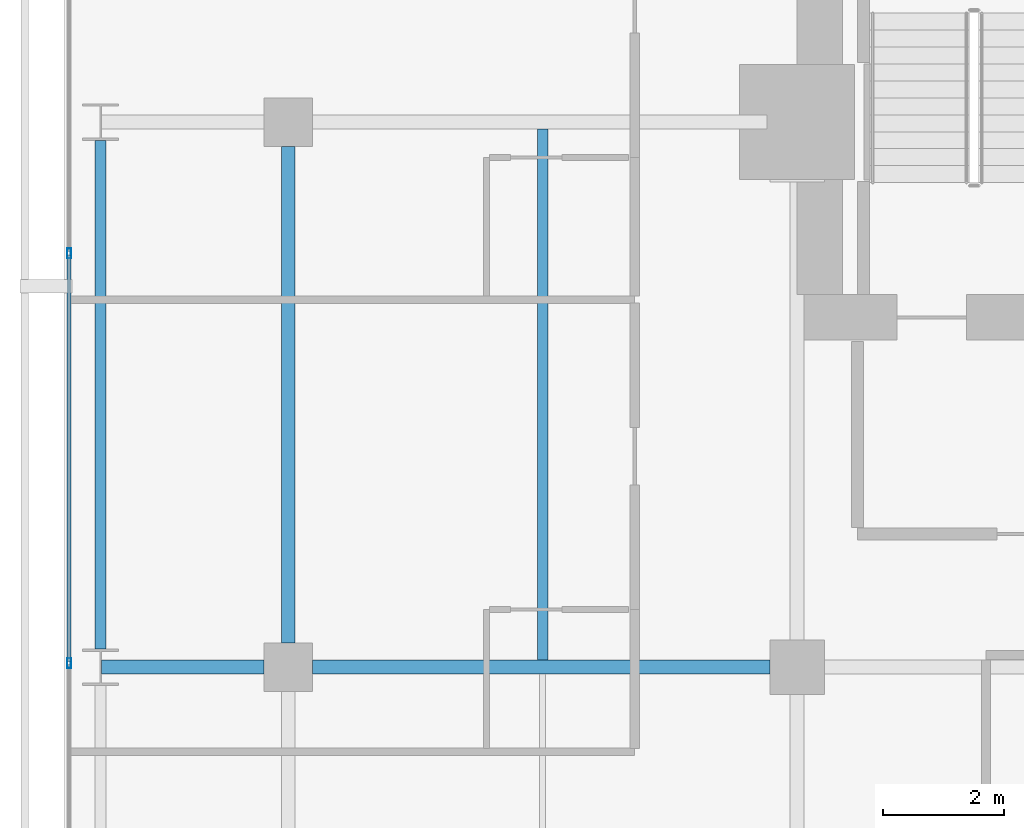
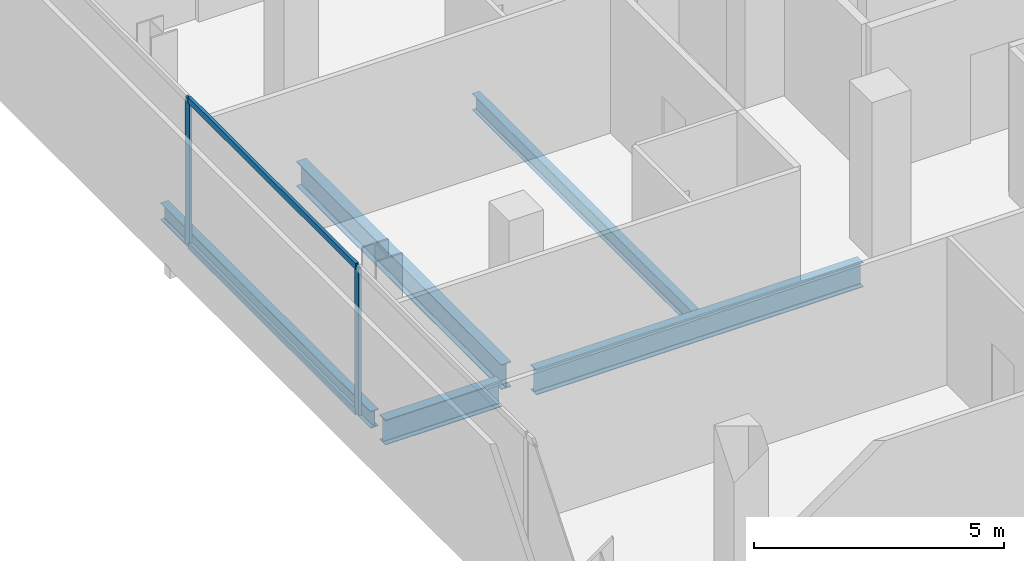
# One storey, part 18 of 33: 5 beams, 4 members, 1 element without a shape of its own.
"""IFC4 building model written with IfcOpenShell, lengths in metres."""

from ifc_helpers import new_model, si_unit, direction, frame, origin, origin_2d, place, context, subcontext, project, spatial, hollow_rectangle, i_section, extrude, material, layer, layer_set, material_profile, profile_set, type_object, element, aggregate, save


model = new_model("IFC4")

# Units and contexts
model_context = context("Model", 3, precision=1e-05, world=origin(), true_north=direction((0.0, 1.0)))
body_context = subcontext(model_context, "Body", "Model", "MODEL_VIEW")
ifc_project = project(units=[si_unit("LENGTHUNIT", "METRE"), si_unit("AREAUNIT", "SQUARE_METRE"), si_unit("VOLUMEUNIT", "CUBIC_METRE"), si_unit("PLANEANGLEUNIT", "RADIAN"), si_unit("MASSUNIT", "GRAM", prefix="KILO")], contexts=[model_context])

# Site, building, storey
site_placement = place(None, origin())
site = spatial("IfcSite", under=ifc_project, at=site_placement, CompositionType="ELEMENT")
building_placement = place(site_placement, origin())
building = spatial("IfcBuilding", under=site, at=building_placement, Name="Maruvema Waterfront Hotel and Observation Tower", CompositionType="ELEMENT")
storey_placement = place(building_placement, frame((0.0, 0.0, 150.5)))
storey = spatial("IfcBuildingStorey", under=building, at=storey_placement, Name="L36", CompositionType="ELEMENT", Elevation=150.5)

# Curtain wall, members
ifc_material_1 = material(Name="Anodised bronze aluminium and solar-control low-E IGU", Category="aluminium")
ifc_layer = layer(ifc_material_1, 0.159912109375, Name="Zone 2 Amber Inner Thermal Curtain Wall System CW-03")
ifc_layer_set = layer_set([ifc_layer], Name="Anodised bronze aluminium and solar-control low-E IGU")
curtain_wall_type = type_object("IfcCurtainWallType", Name="Zone 2 Amber Inner Thermal Curtain Wall System CW-03", PredefinedType="USERDEFINED", material=ifc_layer_set)
curtain_wall_placement = place(storey_placement, origin())
curtain_wall = element("IfcCurtainWall", 1, at=curtain_wall_placement, inside=storey, type_object=curtain_wall_type, Name="L36 Curtain Wall CW-L36-W", ObjectType="UNITISED CURTAIN WALL", PredefinedType="USERDEFINED")
ifc_material_2 = material(Name="Anodised architectural bronze aluminium", Category="aluminium")
ifc_material_profile_1 = material_profile(ifc_material_2, hollow_rectangle(XDim=0.070068359375, YDim=0.14990234375, WallThickness=0.00390625, at=origin_2d()), Name="ALU-T70x150")
ifc_profile_set_1 = profile_set([ifc_material_profile_1], Name="Anodised architectural bronze aluminium")
member_type_1 = type_object("IfcMemberType", Name="Curtain Wall Horizontal Transom ALU-T70x150", PredefinedType="USERDEFINED", material=ifc_profile_set_1)
member_1_placement = place(storey_placement, frame((13.179931640625, 42.80322265625, 0.030029296875), z_axis=(0.0, -1.0, 0.0), x_axis=(1.0, 0.0, 0.0)))
member_1 = element("IfcMember", 2, at=member_1_placement, type_object=member_type_1, Name="CW-03 transom 2.1", ObjectType="TRANSOM", PredefinedType="USERDEFINED", context=body_context, shape_type="SweptSolid", body=[
    extrude(hollow_rectangle(XDim=0.070068359375, YDim=0.14990234375, WallThickness=0.00390625, at=origin_2d()), origin(), (0.0, 0.0, 1.0), 6.70654296875),
])
member_2_placement = place(storey_placement, frame((13.179931640625, 42.80322265625, 3.580078125), z_axis=(0.0, -1.0, 0.0), x_axis=(1.0, 0.0, 0.0)))
member_2 = element("IfcMember", 3, at=member_2_placement, type_object=member_type_1, Name="CW-03 transom 2.2", ObjectType="TRANSOM", PredefinedType="USERDEFINED", context=body_context, shape_type="SweptSolid", body=[
    extrude(hollow_rectangle(XDim=0.070068359375, YDim=0.14990234375, WallThickness=0.00390625, at=origin_2d()), origin(), (0.0, 0.0, 1.0), 6.70654296875),
])
ifc_material_3 = material(Name="Anodised architectural bronze aluminium", Category="aluminium")
ifc_material_profile_2 = material_profile(ifc_material_3, hollow_rectangle(XDim=0.06494140625, YDim=0.1650390625, WallThickness=0.00390625, at=origin_2d()), Name="ALU-M65x165")
ifc_profile_set_2 = profile_set([ifc_material_profile_2], Name="Anodised architectural bronze aluminium")
member_type_2 = type_object("IfcMemberType", Name="Curtain Wall Primary Mullion ALU-M65x165", PredefinedType="MULLION", material=ifc_profile_set_2)
member_3_placement = place(storey_placement, frame((13.179931640625, 42.833251953125, 0.0), z_axis=(0.0, 0.0, 1.0), x_axis=(1.0, 0.0, 0.0)))
member_3 = element("IfcMember", 4, at=member_3_placement, type_object=member_type_2, Name="CW-03 mullion 2", PredefinedType="MULLION", context=body_context, shape_type="SweptSolid", body=[
    extrude(hollow_rectangle(XDim=0.06494140625, YDim=0.1650390625, WallThickness=0.00390625, at=origin_2d()), origin(), (0.0, 0.0, 1.0), 3.610107421875),
])
member_4_placement = place(storey_placement, frame((13.179931640625, 36.066650390625, 0.0), z_axis=(0.0, 0.0, 1.0), x_axis=(1.0, 0.0, 0.0)))
member_4 = element("IfcMember", 5, at=member_4_placement, type_object=member_type_2, Name="CW-03 mullion 3", PredefinedType="MULLION", context=body_context, shape_type="SweptSolid", body=[
    extrude(hollow_rectangle(XDim=0.06494140625, YDim=0.1650390625, WallThickness=0.00390625, at=origin_2d()), origin(), (0.0, 0.0, 1.0), 3.610107421875),
])
aggregate(curtain_wall, [member_3, member_4, member_1, member_2])

# Beams
ifc_material_4 = material(Name="Steel ASTM A572 Grade 50", Category="steel")
ifc_material_profile_3 = material_profile(ifc_material_4, i_section(OverallWidth=0.180908203125, OverallDepth=0.4169921875, WebThickness=0.010986328125, FlangeThickness=0.018310546875, FilletRadius=0.014892578125, at=origin_2d()), Name="W410x85.0")
ifc_profile_set_3 = profile_set([ifc_material_profile_3], Name="Steel ASTM A572 Grade 50")
beam_type_1 = type_object("IfcBeamType", Name="Perimeter Spandrel Beam W410x85.0", PredefinedType="SPANDREL", material=ifc_profile_set_3)
beam_1_placement = place(storey_placement, frame((13.699951171875, 36.300048828125, -0.448486328125), z_axis=(0.0, 1.0, 0.0), x_axis=(-1.0, 0.0, 0.0)))
element("IfcBeam", 6, at=beam_1_placement, inside=storey, type_object=beam_type_1, Name="L36 Floor Girder NS-04", PredefinedType="SPANDREL", context=body_context, shape_type="SweptSolid", body=[
    extrude(i_section(OverallWidth=0.180908203125, OverallDepth=0.4169921875, WebThickness=0.010986328125, FlangeThickness=0.018310546875, FilletRadius=0.014892578125, at=origin_2d()), origin(), (0.0, 0.0, 1.0), 8.39990234375),
])
ifc_material_5 = material(Name="Steel ASTM A572 Grade 50", Category="steel")
ifc_material_profile_4 = material_profile(ifc_material_5, i_section(OverallWidth=0.22900390625, OverallDepth=0.612060546875, WebThickness=0.011962890625, FlangeThickness=0.01953125, FilletRadius=0.01806640625, at=origin_2d()), Name="W610x125.0")
ifc_profile_set_4 = profile_set([ifc_material_profile_4], Name="Steel ASTM A572 Grade 50")
beam_type_2 = type_object("IfcBeamType", Name="Primary Floor Girder W610x125.0", PredefinedType="BEAM", material=ifc_profile_set_4)
beam_2_placement = place(storey_placement, frame((13.71240234375, 36.0, -0.5458984375), z_axis=(1.0, 0.0, 0.0), x_axis=(0.0, 1.0, 0.0)))
element("IfcBeam", 7, at=beam_2_placement, inside=storey, type_object=beam_type_2, Name="L36 Floor Girder EW-23", PredefinedType="BEAM", context=body_context, shape_type="SweptSolid", body=[
    extrude(i_section(OverallWidth=0.22900390625, OverallDepth=0.612060546875, WebThickness=0.011962890625, FlangeThickness=0.01953125, FilletRadius=0.01806640625, at=origin_2d()), origin(), (0.0, 0.0, 1.0), 2.6875),
])
beam_3_placement = place(storey_placement, frame((17.199951171875, 36.0, -0.5458984375), z_axis=(1.0, 0.0, 0.0), x_axis=(0.0, 1.0, 0.0)))
element("IfcBeam", 8, at=beam_3_placement, inside=storey, type_object=beam_type_2, Name="L36 Floor Girder EW-24", PredefinedType="BEAM", context=body_context, shape_type="SweptSolid", body=[
    extrude(i_section(OverallWidth=0.22900390625, OverallDepth=0.612060546875, WebThickness=0.011962890625, FlangeThickness=0.01953125, FilletRadius=0.01806640625, at=origin_2d()), origin(), (0.0, 0.0, 1.0), 7.550048828125),
])
beam_4_placement = place(storey_placement, frame((16.800048828125, 36.39990234375, -0.5458984375), z_axis=(0.0, 1.0, 0.0), x_axis=(-1.0, 0.0, 0.0)))
element("IfcBeam", 9, at=beam_4_placement, inside=storey, type_object=beam_type_2, Name="L36 Floor Girder NS-08", PredefinedType="BEAM", context=body_context, shape_type="SweptSolid", body=[
    extrude(i_section(OverallWidth=0.22900390625, OverallDepth=0.612060546875, WebThickness=0.011962890625, FlangeThickness=0.01953125, FilletRadius=0.01806640625, at=origin_2d()), origin(), (0.0, 0.0, 1.0), 8.2001953125),
])
ifc_material_6 = material(Name="Steel ASTM A572 Grade 50", Category="steel")
ifc_material_profile_5 = material_profile(ifc_material_6, i_section(OverallWidth=0.177001953125, OverallDepth=0.403076171875, WebThickness=0.007568359375, FlangeThickness=0.010986328125, FilletRadius=0.014892578125, at=origin_2d()), Name="W410x53.0")
ifc_profile_set_5 = profile_set([ifc_material_profile_5], Name="Steel ASTM A572 Grade 50")
beam_type_3 = type_object("IfcBeamType", Name="Secondary Floor Joist W410x53.0", PredefinedType="JOIST", material=ifc_profile_set_5)
beam_5_placement = place(storey_placement, frame((21.0, 36.114501953125, -0.44140625), z_axis=(0.0, 1.0, 0.0), x_axis=(-1.0, 0.0, 0.0)))
element("IfcBeam", 10, at=beam_5_placement, inside=storey, type_object=beam_type_3, Name="L36 Secondary Floor Joist JS-04", PredefinedType="JOIST", context=body_context, shape_type="SweptSolid", body=[
    extrude(i_section(OverallWidth=0.177001953125, OverallDepth=0.403076171875, WebThickness=0.007568359375, FlangeThickness=0.010986328125, FilletRadius=0.014892578125, at=origin_2d()), origin(), (0.0, 0.0, 1.0), 8.77099609375),
])

save(model, "model.ifc")
